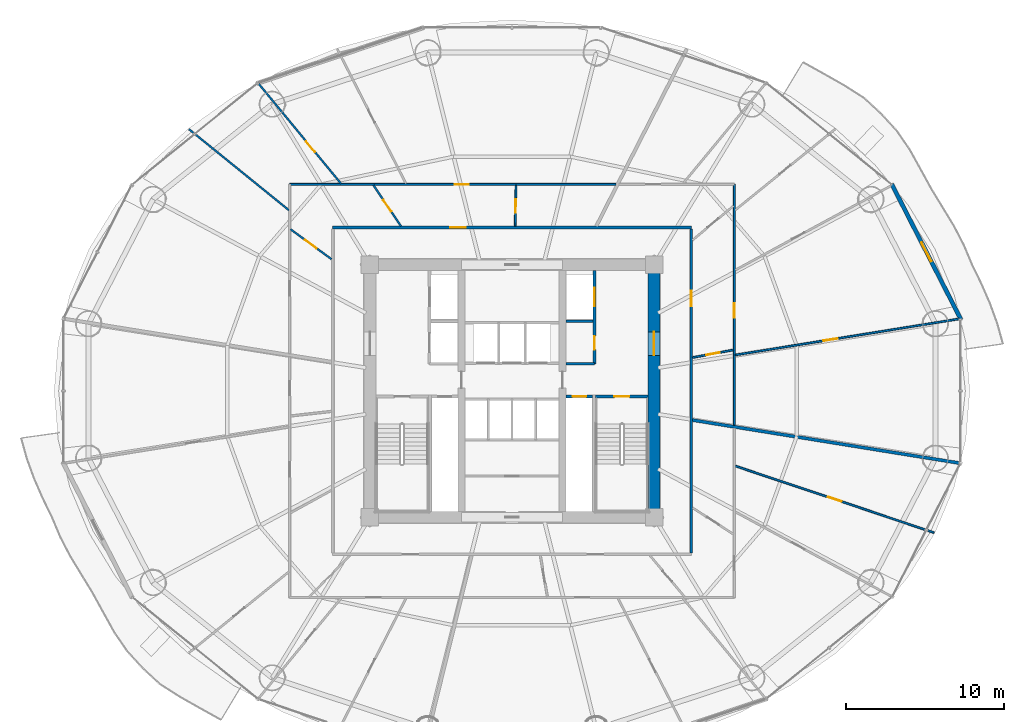
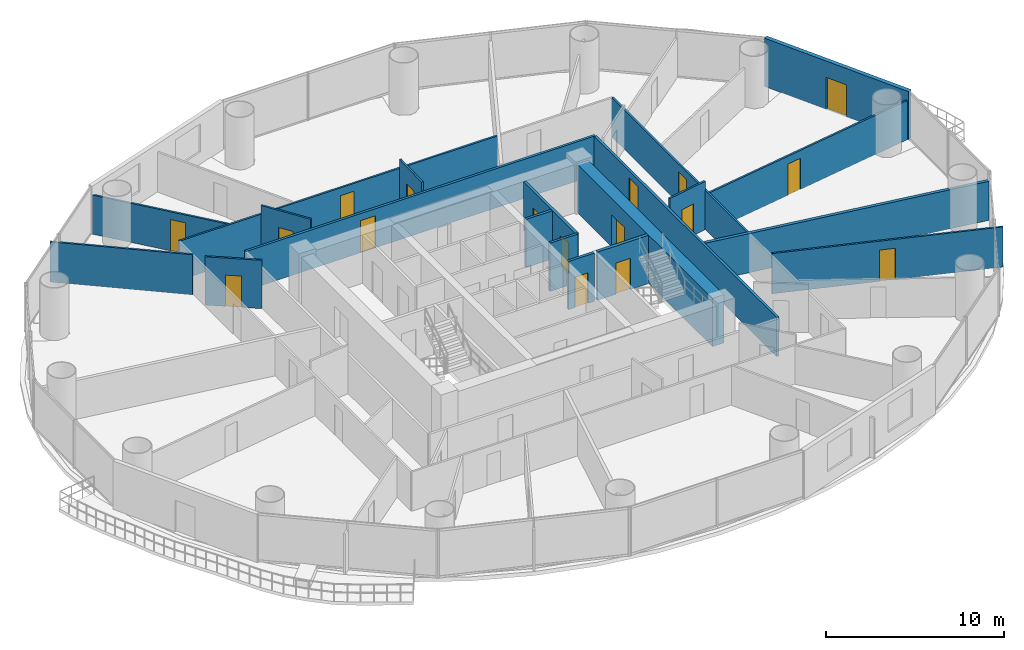
# One storey, part 25 of 30: 20 walls, 17 doors, 17 openings.
"""IFC4 building model written with IfcOpenShell, lengths in metres."""

from ifc_helpers import new_model, si_unit, direction, frame, frame_2d, origin, place, context, subcontext, project, spatial, rectangle, extrude, source, transform, mapped, material, layer, layer_set, type_object, element, fill, save


model = new_model("IFC4")

# Units and contexts
model_context = context("Model", 3, precision=1e-05, world=origin(), true_north=direction((-0.2419218956, 0.970295726276)))
body_context = subcontext(model_context, "Body", "Model", "MODEL_VIEW")
ifc_project = project(units=[si_unit("LENGTHUNIT", "METRE"), si_unit("AREAUNIT", "SQUARE_METRE"), si_unit("VOLUMEUNIT", "CUBIC_METRE"), si_unit("PLANEANGLEUNIT", "RADIAN"), si_unit("MASSUNIT", "GRAM", prefix="KILO")], contexts=[model_context])

# Site, building, storey
site_placement = place(None, origin())
site = spatial("IfcSite", under=ifc_project, at=site_placement, CompositionType="ELEMENT")
building_placement = place(site_placement, origin())
building = spatial("IfcBuilding", under=site, at=building_placement, Name="Cobrevalo Terracotta Tower", CompositionType="ELEMENT")
storey_placement = place(building_placement, frame((0.0, 0.0, 31.199951171875)))
storey = spatial("IfcBuildingStorey", under=building, at=storey_placement, Name="L07", CompositionType="ELEMENT", Elevation=31.199951171875)

# Wall, opening, door
ifc_material_1 = material(Name="Concrete C60", Category="concrete")
ifc_layer_1 = layer(ifc_material_1, 0.75)
ifc_layer_set_1 = layer_set([ifc_layer_1], Name="Concrete C60")
wall_type_1 = type_object("IfcWallType", Name="Core shear wall 750 mm Concrete C60", PredefinedType="SHEAR", material=ifc_layer_set_1)
wall_1_placement = place(storey_placement, frame((47.0, 19.175048828125, 0.0), z_axis=(0.0, 0.0, 1.0), x_axis=(0.0, 1.0, 0.0)))
wall_1 = element("IfcWall", 1, at=wall_1_placement, inside=storey, type_object=wall_type_1, Name="L07 east core shear wall", PredefinedType="SHEAR", context=body_context, shape_type="SweptSolid", body=[
    extrude(rectangle(XDim=15.25, YDim=0.75, at=frame_2d((7.625, 0.0))), origin(), (0.0, 0.0, 1.0), 3.320068359375),
])
opening_1_placement = place(wall_1_placement, frame((9.875, 0.0, 0.0)))
opening_1 = element("IfcOpeningElement", 2, at=opening_1_placement, cuts=wall_1, Name="Opening ID-14", PredefinedType="OPENING", context=body_context, shape_type="SweptSolid", body=[
    extrude(rectangle(XDim=1.5, YDim=2.199951171875, at=frame_2d((0.75, 1.10009765625))), frame((0.0, 0.385009765625, 0.0), z_axis=(0.0, -1.0, 0.0), x_axis=(1.0, 0.0, 0.0)), (0.0, 0.0, 1.0), 0.77001953125),
])
ifc_material_2 = material(Name="Galvanized fire-rated steel", Category="steel")
door_type_1 = type_object("IfcDoorType", Name="Core cross-lobby double fire door 1500x2200 EI 90", OperationType="NOTDEFINED", PredefinedType="DOOR", material=ifc_material_2)
shared_shape_1 = source(origin(), body_context, "Body", "SweptSolid", [
    extrude(rectangle(XDim=1.5, YDim=2.199951171875, at=frame_2d((0.75, 1.10009765625))), frame((0.0, 0.02490234375, 0.0), z_axis=(0.0, -1.0, 0.0), x_axis=(1.0, 0.0, 0.0)), (0.0, 0.0, 1.0), 0.050048828125),
])
door_1_placement = place(opening_1_placement, frame((1.5, 0.0, 0.0), z_axis=(0.0, 0.0, 1.0), x_axis=(-1.0, 0.0, 0.0)))
door_1 = element("IfcDoor", 3, at=door_1_placement, inside=storey, type_object=door_type_1, Name="L07 east firefighting lobby entrance door", OperationType="DOUBLE_DOOR_SINGLE_SWING", OverallHeight=2.199951171875, OverallWidth=1.5, PredefinedType="DOOR", context=body_context, shape_type="MappedRepresentation", body=[
    mapped(shared_shape_1, transform((0.0, 0.0, 0.0), scale=1.0)),
])
fill(opening_1, door_1)

# Walls
ifc_material_3 = material(Name="Gypsum board on steel stud", Category="steel")
ifc_layer_2 = layer(ifc_material_3, 0.159912109375)
ifc_layer_set_2 = layer_set([ifc_layer_2], Name="Gypsum board on steel stud")
wall_type_2 = type_object("IfcWallType", Name="Fire-rated corridor acoustic partition wall 160 mm", PredefinedType="PARTITIONING", material=ifc_layer_set_2)
wall_2_placement = place(storey_placement, frame((41.425048828125, 31.219970703125, 0.0), z_axis=(0.0, 0.0, 1.0), x_axis=(1.0, 0.0, 0.0)))
element("IfcWall", 4, at=wall_2_placement, inside=storey, type_object=wall_type_2, Name="L07 interior partition IW-L07-FF2-M", PredefinedType="PARTITIONING", context=body_context, shape_type="SweptSolid", body=[
    extrude(rectangle(XDim=1.71484375, YDim=0.159912109375, at=frame_2d((0.857421875, 0.0))), origin(), (0.0, 0.0, 1.0), 3.320068359375),
])
wall_3_placement = place(storey_placement, frame((41.425048828125, 28.52001953125, 0.0), z_axis=(0.0, 0.0, 1.0), x_axis=(1.0, 0.0, 0.0)))
element("IfcWall", 5, at=wall_3_placement, inside=storey, type_object=wall_type_2, Name="L07 interior partition IW-L07-FF2-S", PredefinedType="PARTITIONING", context=body_context, shape_type="SweptSolid", body=[
    extrude(rectangle(XDim=1.804931640625, YDim=0.159912109375, at=frame_2d((0.90234375, 0.0))), origin(), (0.0, 0.0, 1.0), 3.320068359375),
])

# Wall, opening, door
wall_4_placement = place(storey_placement, frame((26.64501953125, 37.155029296875, 0.0), z_axis=(0.0, 0.0, 1.0), x_axis=(1.0, 0.0, 0.0)))
wall_4 = element("IfcWall", 6, at=wall_4_placement, inside=storey, type_object=wall_type_2, Name="L07 interior partition IW-L07-COR-N", PredefinedType="PARTITIONING", context=body_context, shape_type="SweptSolid", body=[
    extrude(rectangle(XDim=22.7099609375, YDim=0.159912109375, at=frame_2d((11.35498046875, 0.0))), origin(), (0.0, 0.0, 1.0), 2.68798828125),
])
opening_2_placement = place(wall_4_placement, frame((7.44580078125, 0.0, 0.0)))
opening_2 = element("IfcOpeningElement", 7, at=opening_2_placement, cuts=wall_4, Name="Opening ID-05", PredefinedType="OPENING", context=body_context, shape_type="SweptSolid", body=[
    extrude(rectangle(XDim=0.97998046875, YDim=2.199951171875, at=frame_2d((0.489990234375, 1.10009765625))), frame((0.0, 0.08984375, 0.0), z_axis=(0.0, -1.0, 0.0), x_axis=(1.0, 0.0, 0.0)), (0.0, 0.0, 1.0), 0.179931640625),
])
ifc_material_4 = material(Name="Solid hardwood timber", Category="wood")
door_type_2 = type_object("IfcDoorType", Name="Residence entrance fire-rated acoustic timber door 980x2200 EI 60", OperationType="NOTDEFINED", PredefinedType="DOOR", material=ifc_material_4)
shared_shape_2 = source(origin(), body_context, "Body", "SweptSolid", [
    extrude(rectangle(XDim=0.97998046875, YDim=2.199951171875, at=frame_2d((0.489990234375, 1.10009765625))), frame((0.0, 0.02490234375, 0.0), z_axis=(0.0, -1.0, 0.0), x_axis=(1.0, 0.0, 0.0)), (0.0, 0.0, 1.0), 0.050048828125),
])
door_2_placement = place(opening_2_placement, origin())
door_2 = element("IfcDoor", 8, at=door_2_placement, inside=storey, type_object=door_type_2, Name="Flat L07B fire-rated apartment entrance door", OperationType="SINGLE_SWING_LEFT", OverallHeight=2.199951171875, OverallWidth=0.97998046875, PredefinedType="DOOR", context=body_context, shape_type="MappedRepresentation", body=[
    mapped(shared_shape_2, transform((0.0, 0.0, 0.0), scale=1.0)),
])
fill(opening_2, door_2)

wall_5_placement = place(storey_placement, frame((49.35498046875, 16.52490234375, 0.0), z_axis=(0.0, 0.0, 1.0), x_axis=(0.0, 1.0, 0.0)))
wall_5 = element("IfcWall", 9, at=wall_5_placement, inside=storey, type_object=wall_type_2, Name="L07 interior partition IW-L07-COR-E", PredefinedType="PARTITIONING", context=body_context, shape_type="SweptSolid", body=[
    extrude(rectangle(XDim=20.550048828125, YDim=0.159912109375, at=frame_2d((10.27490234375, 0.0))), origin(), (0.0, 0.0, 1.0), 2.68798828125),
])
opening_3_placement = place(wall_5_placement, frame((15.635009765625, 0.0, 0.0)))
opening_3 = element("IfcOpeningElement", 10, at=opening_3_placement, cuts=wall_5, Name="Opening ID-05", PredefinedType="OPENING", context=body_context, shape_type="SweptSolid", body=[
    extrude(rectangle(XDim=0.97998046875, YDim=2.199951171875, at=frame_2d((0.489990234375, 1.10009765625))), frame((0.0, 0.08984375, 0.0), z_axis=(0.0, -1.0, 0.0), x_axis=(1.0, 0.0, 0.0)), (0.0, 0.0, 1.0), 0.179931640625),
])
door_3_placement = place(opening_3_placement, frame((0.97998046875, 0.0, 0.0), z_axis=(0.0, 0.0, 1.0), x_axis=(-1.0, 0.0, 0.0)))
door_3 = element("IfcDoor", 11, at=door_3_placement, inside=storey, type_object=door_type_2, Name="Flat L07A fire-rated apartment entrance door", OperationType="SINGLE_SWING_LEFT", OverallHeight=2.199951171875, OverallWidth=0.97998046875, PredefinedType="DOOR", context=body_context, shape_type="MappedRepresentation", body=[
    mapped(shared_shape_2, transform((0.0, 0.0, 0.0), scale=1.0)),
])
fill(opening_3, door_3)

ifc_layer_3 = layer(ifc_material_3, 0.179931640625)
ifc_layer_set_3 = layer_set([ifc_layer_3], Name="Gypsum board on steel stud")
wall_type_3 = type_object("IfcWallType", Name="Fire-rated shaft & lobby acoustic partition wall 180 mm", PredefinedType="PARTITIONING", material=ifc_layer_set_3)
wall_6_placement = place(storey_placement, frame((41.425048828125, 26.449951171875, 0.0), z_axis=(0.0, 0.0, 1.0), x_axis=(1.0, 0.0, 0.0)))
wall_6 = element("IfcWall", 12, at=wall_6_placement, inside=storey, type_object=wall_type_3, Name="L07 interior partition IW-L07-RSE-N", PredefinedType="PARTITIONING", context=body_context, shape_type="SweptSolid", body=[
    extrude(rectangle(XDim=1.675048828125, YDim=0.179931640625, at=frame_2d((0.83740234375, 0.0))), origin(), (0.0, 0.0, 1.0), 3.320068359375),
])
opening_4_placement = place(wall_6_placement, frame((0.41259765625, 0.0, 0.0)))
opening_4 = element("IfcOpeningElement", 13, at=opening_4_placement, cuts=wall_6, Name="Opening ID-22", PredefinedType="OPENING", context=body_context, shape_type="SweptSolid", body=[
    extrude(rectangle(XDim=0.85009765625, YDim=2.10009765625, at=frame_2d((0.425048828125, 1.050048828125))), frame((0.0, 0.10009765625, 0.0), z_axis=(0.0, -1.0, 0.0), x_axis=(1.0, 0.0, 0.0)), (0.0, 0.0, 1.0), 0.199951171875),
])
ifc_material_5 = material(Name="Powder-coated steel", Category="steel")
door_type_3 = type_object("IfcDoorType", Name="Riser shaft & meter closet fire access door 850x2100 EI 60", OperationType="NOTDEFINED", PredefinedType="DOOR", material=ifc_material_5)
shared_shape_3 = source(origin(), body_context, "Body", "SweptSolid", [
    extrude(rectangle(XDim=0.85009765625, YDim=2.10009765625, at=frame_2d((0.425048828125, 1.050048828125))), frame((0.0, 0.02490234375, 0.0), z_axis=(0.0, -1.0, 0.0), x_axis=(1.0, 0.0, 0.0)), (0.0, 0.0, 1.0), 0.050048828125),
])
door_4_placement = place(opening_4_placement, origin())
door_4 = element("IfcDoor", 14, at=door_4_placement, inside=storey, type_object=door_type_3, Name="L07 riser access door RSE", OperationType="SINGLE_SWING_RIGHT", OverallHeight=2.10009765625, OverallWidth=0.85009765625, PredefinedType="DOOR", context=body_context, shape_type="MappedRepresentation", body=[
    mapped(shared_shape_3, transform((0.0, 0.0, 0.0), scale=1.0)),
])
fill(opening_4, door_4)

# Wall, openings, doors
wall_7_placement = place(storey_placement, frame((43.22998046875, 28.52001953125, 0.0), z_axis=(0.0, 0.0, 1.0), x_axis=(0.0, 1.0, 0.0)))
wall_7 = element("IfcWall", 15, at=wall_7_placement, inside=storey, type_object=wall_type_3, Name="L07 interior partition IW-L07-FF2-E", PredefinedType="PARTITIONING", context=body_context, shape_type="SweptSolid", body=[
    extrude(rectangle(XDim=5.905029296875, YDim=0.179931640625, at=frame_2d((2.95263671875, 0.0))), origin(), (0.0, 0.0, 1.0), 3.320068359375),
])
opening_5_placement = place(wall_7_placement, frame((0.905029296875, 0.0, 0.0)))
opening_5 = element("IfcOpeningElement", 16, at=opening_5_placement, cuts=wall_7, Name="Opening ID-22", PredefinedType="OPENING", context=body_context, shape_type="SweptSolid", body=[
    extrude(rectangle(XDim=0.85009765625, YDim=2.10009765625, at=frame_2d((0.425048828125, 1.050048828125))), frame((0.0, 0.10009765625, 0.0), z_axis=(0.0, -1.0, 0.0), x_axis=(1.0, 0.0, 0.0)), (0.0, 0.0, 1.0), 0.199951171875),
])
opening_6_placement = place(wall_7_placement, frame((3.655029296875, 0.0, 0.0)))
opening_6 = element("IfcOpeningElement", 17, at=opening_6_placement, cuts=wall_7, Name="Opening LD-02", PredefinedType="OPENING", context=body_context, shape_type="SweptSolid", body=[
    extrude(rectangle(XDim=1.14990234375, YDim=2.199951171875, at=frame_2d((0.574951171875, 1.10009765625))), frame((0.0, 0.10009765625, 0.0), z_axis=(0.0, -1.0, 0.0), x_axis=(1.0, 0.0, 0.0)), (0.0, 0.0, 1.0), 0.199951171875),
])
door_5_placement = place(opening_5_placement, frame((0.85009765625, 0.0, 0.0), z_axis=(0.0, 0.0, 1.0), x_axis=(-1.0, 0.0, 0.0)))
door_5 = element("IfcDoor", 18, at=door_5_placement, inside=storey, type_object=door_type_3, Name="L07 housekeeping store door", OperationType="SINGLE_SWING_RIGHT", OverallHeight=2.10009765625, OverallWidth=0.85009765625, PredefinedType="DOOR", context=body_context, shape_type="MappedRepresentation", body=[
    mapped(shared_shape_3, transform((0.0, 0.0, 0.0), scale=1.0)),
])
fill(opening_5, door_5)
ifc_material_6 = material(Name="Brushed stainless steel", Category="steel")
door_type_4 = type_object("IfcDoorType", Name="Firefighting lift landing bi-parting sliding door 1150x2200 EI 120", OperationType="DOUBLE_DOOR_SLIDING", PredefinedType="DOOR", material=ifc_material_6)
shared_shape_4 = source(origin(), body_context, "Body", "SweptSolid", [
    extrude(rectangle(XDim=1.14990234375, YDim=2.199951171875, at=frame_2d((0.574951171875, 1.10009765625))), frame((0.0, 0.02490234375, 0.0), z_axis=(0.0, -1.0, 0.0), x_axis=(1.0, 0.0, 0.0)), (0.0, 0.0, 1.0), 0.050048828125),
])
door_6_placement = place(opening_6_placement, origin())
door_6 = element("IfcDoor", 19, at=door_6_placement, inside=storey, type_object=door_type_4, Name="L07 lift landing door FF-2", OperationType="DOUBLE_DOOR_SLIDING", OverallHeight=2.199951171875, OverallWidth=1.14990234375, PredefinedType="DOOR", context=body_context, shape_type="MappedRepresentation", body=[
    mapped(shared_shape_4, transform((0.0, 0.0, 0.0), scale=1.0)),
])
fill(opening_6, door_6)

# Wall
ifc_material_7 = material(Name="Autoclaved aerated concrete block", Category="concrete")
ifc_layer_4 = layer(ifc_material_7, 0.199951171875)
ifc_layer_set_4 = layer_set([ifc_layer_4], Name="Autoclaved aerated concrete block")
wall_type_4 = type_object("IfcWallType", Name="Fire-rated stair, shaft & demising masonry wall 200 mm", PredefinedType="PARTITIONING", material=ifc_layer_set_4)
wall_8_placement = place(storey_placement, frame((49.43505859375, 24.956787109375, 0.0), z_axis=(0.0, 0.0, 1.0), x_axis=(0.987258195973, -0.159126536076, 0.0)))
element("IfcWall", 20, at=wall_8_placement, inside=storey, type_object=wall_type_4, Name="L07 interior partition IW-L07-DEM-1", PredefinedType="PARTITIONING", context=body_context, shape_type="SweptSolid", body=[
    extrude(rectangle(XDim=17.10546875, YDim=0.199951171875, at=frame_2d((8.552734375, 0.0))), origin(), (0.0, 0.0, 1.0), 2.68798828125),
])

# Wall, opening, door
ifc_layer_5 = layer(ifc_material_7, 0.260009765625)
ifc_layer_set_5 = layer_set([ifc_layer_5], Name="Autoclaved aerated concrete block")
wall_type_5 = type_object("IfcWallType", Name="Recessed balcony loggia insulated exterior wall 260 mm", PredefinedType="SOLIDWALL", material=ifc_layer_set_5)
wall_9_placement = place(storey_placement, frame((66.44970703125, 31.3076171875, 0.0), z_axis=(0.0, 0.0, 1.0), x_axis=(-0.45523081716, 0.890373462715, 0.0)))
wall_9 = element("IfcWall", 21, at=wall_9_placement, inside=storey, type_object=wall_type_5, Name="L07 balcony loggia wall S01", PredefinedType="SOLIDWALL", context=body_context, shape_type="SweptSolid", body=[
    extrude(rectangle(XDim=9.662109375, YDim=0.260009765625, at=frame_2d((4.8310546875, 0.0))), origin(), (0.0, 0.0, 1.0), 3.320068359375),
])
opening_7_placement = place(wall_9_placement, frame((4.156005859375, 0.0, 0.0)))
opening_7 = element("IfcOpeningElement", 22, at=opening_7_placement, cuts=wall_9, Name="Opening ED-05", PredefinedType="OPENING", context=body_context, shape_type="SweptSolid", body=[
    extrude(rectangle(XDim=1.35009765625, YDim=2.199951171875, at=frame_2d((0.675048828125, 1.10009765625))), frame((0.0, 0.14013671875, 0.0), z_axis=(0.0, -1.0, 0.0), x_axis=(1.0, 0.0, 0.0)), (0.0, 0.0, 1.0), 0.280029296875),
])
ifc_material_8 = material(Name="Anodized aluminium and laminated glass", Category="aluminium")
door_type_5 = type_object("IfcDoorType", Name="Suite balcony acoustic glazed terrace door 1350x2200", OperationType="NOTDEFINED", PredefinedType="DOOR", material=ifc_material_8)
shared_shape_5 = source(origin(), body_context, "Body", "SweptSolid", [
    extrude(rectangle(XDim=1.35009765625, YDim=2.199951171875, at=frame_2d((0.675048828125, 1.10009765625))), frame((0.0, 0.02490234375, 0.0), z_axis=(0.0, -1.0, 0.0), x_axis=(1.0, 0.0, 0.0)), (0.0, 0.0, 1.0), 0.050048828125),
])
door_7_placement = place(opening_7_placement, frame((1.35009765625, 0.0, 0.0), z_axis=(0.0, 0.0, 1.0), x_axis=(-1.0, 0.0, 0.0)))
door_7 = element("IfcDoor", 23, at=door_7_placement, inside=storey, type_object=door_type_5, Name="L07 glazed balcony terrace door 1", OperationType="SINGLE_SWING_LEFT", OverallHeight=2.199951171875, OverallWidth=1.35009765625, PredefinedType="DOOR", context=body_context, shape_type="MappedRepresentation", body=[
    mapped(shared_shape_5, transform((0.0, 0.0, 0.0), scale=1.0)),
])
fill(opening_7, door_7)

ifc_layer_6 = layer(ifc_material_3, 0.1201171875)
ifc_layer_set_6 = layer_set([ifc_layer_6], Name="Gypsum board on steel stud")
wall_type_6 = type_object("IfcWallType", Name="Residential internal acoustic stud partition 120 mm", PredefinedType="PARTITIONING", material=ifc_layer_set_6)
wall_10_placement = place(storey_placement, frame((52.0849609375, 39.885009765625, 0.0), z_axis=(0.0, 0.0, 1.0), x_axis=(0.0, -1.0, 0.0)))
wall_10 = element("IfcWall", 24, at=wall_10_placement, inside=storey, type_object=wall_type_6, Name="L07 interior partition IW-L07-U1-RING1_0", PredefinedType="PARTITIONING", context=body_context, shape_type="SweptSolid", body=[
    extrude(rectangle(XDim=15.25341796875, YDim=0.1201171875, at=frame_2d((7.626708984375, 0.0))), origin(), (0.0, 0.0, 1.0), 2.68798828125),
])
opening_8_placement = place(wall_10_placement, frame((7.543212890625, 0.0, 0.0)))
opening_8 = element("IfcOpeningElement", 25, at=opening_8_placement, cuts=wall_10, Name="Opening ID-12", PredefinedType="OPENING", context=body_context, shape_type="SweptSolid", body=[
    extrude(rectangle(XDim=0.89990234375, YDim=2.14990234375, at=frame_2d((0.449951171875, 1.074951171875))), frame((0.0, 0.070068359375, 0.0), z_axis=(0.0, -1.0, 0.0), x_axis=(1.0, 0.0, 0.0)), (0.0, 0.0, 1.0), 0.14013671875),
])
ifc_material_9 = material(Name="Engineered timber", Category="wood")
door_type_6 = type_object("IfcDoorType", Name="Internal residence & suite timber door 900x2150", OperationType="NOTDEFINED", PredefinedType="DOOR", material=ifc_material_9)
shared_shape_6 = source(origin(), body_context, "Body", "SweptSolid", [
    extrude(rectangle(XDim=0.89990234375, YDim=2.14990234375, at=frame_2d((0.449951171875, 1.074951171875))), frame((0.0, 0.02490234375, 0.0), z_axis=(0.0, -1.0, 0.0), x_axis=(1.0, 0.0, 0.0)), (0.0, 0.0, 1.0), 0.050048828125),
])
door_8_placement = place(opening_8_placement, origin())
door_8 = element("IfcDoor", 26, at=door_8_placement, inside=storey, type_object=door_type_6, Name="Flat L07A Penthouse Family Lounge internal door", OperationType="SINGLE_SWING_RIGHT", OverallHeight=2.14990234375, OverallWidth=0.89990234375, PredefinedType="DOOR", context=body_context, shape_type="MappedRepresentation", body=[
    mapped(shared_shape_6, transform((0.0, 0.0, 0.0), scale=1.0)),
])
fill(opening_8, door_8)

wall_11_placement = place(storey_placement, frame((52.146240234375, 29.080078125, 0.0), z_axis=(0.0, 0.0, 1.0), x_axis=(0.987255773689, 0.159141563768, 0.0)))
wall_11 = element("IfcWall", 27, at=wall_11_placement, inside=storey, type_object=wall_type_6, Name="L07 interior partition IW-L07-U1-ORAD1", PredefinedType="PARTITIONING", context=body_context, shape_type="SweptSolid", body=[
    extrude(rectangle(XDim=14.359375, YDim=0.1201171875, at=frame_2d((7.1796875, 0.0))), origin(), (0.0, 0.0, 1.0), 2.68798828125),
])
opening_9_placement = place(wall_11_placement, frame((5.658935546875, 0.0, 0.0)))
opening_9 = element("IfcOpeningElement", 28, at=opening_9_placement, cuts=wall_11, Name="Opening ID-12", PredefinedType="OPENING", context=body_context, shape_type="SweptSolid", body=[
    extrude(rectangle(XDim=0.89990234375, YDim=2.14990234375, at=frame_2d((0.449951171875, 1.074951171875))), frame((0.0, 0.070068359375, 0.0), z_axis=(0.0, -1.0, 0.0), x_axis=(1.0, 0.0, 0.0)), (0.0, 0.0, 1.0), 0.14013671875),
])
door_9_placement = place(opening_9_placement, frame((0.89990234375, 0.0, 0.0), z_axis=(0.0, 0.0, 1.0), x_axis=(-1.0, 0.0, 0.0)))
door_9 = element("IfcDoor", 29, at=door_9_placement, inside=storey, type_object=door_type_6, Name="Flat L07A Penthouse Living and Dining Room internal door", OperationType="SINGLE_SWING_RIGHT", OverallHeight=2.14990234375, OverallWidth=0.89990234375, PredefinedType="DOOR", context=body_context, shape_type="MappedRepresentation", body=[
    mapped(shared_shape_6, transform((0.0, 0.0, 0.0), scale=1.0)),
])
fill(opening_9, door_9)

wall_12_placement = place(storey_placement, frame((49.43505859375, 28.91796875, 0.0), z_axis=(0.0, 0.0, 1.0), x_axis=(0.983277085422, 0.182115823818, 0.0)))
wall_12 = element("IfcWall", 30, at=wall_12_placement, inside=storey, type_object=wall_type_6, Name="L07 interior partition IW-L07-U1-IRAD1", PredefinedType="PARTITIONING", context=body_context, shape_type="SweptSolid", body=[
    extrude(rectangle(XDim=2.6328125, YDim=0.1201171875, at=frame_2d((1.31640625, 0.0))), origin(), (0.0, 0.0, 1.0), 3.320068359375),
])
opening_10_placement = place(wall_12_placement, frame((0.886474609375, 0.0, 0.0)))
opening_10 = element("IfcOpeningElement", 31, at=opening_10_placement, cuts=wall_12, Name="Opening ID-19", PredefinedType="OPENING", context=body_context, shape_type="SweptSolid", body=[
    extrude(rectangle(XDim=0.860107421875, YDim=2.14990234375, at=frame_2d((0.43017578125, 1.074951171875))), frame((0.0, 0.070068359375, 0.0), z_axis=(0.0, -1.0, 0.0), x_axis=(1.0, 0.0, 0.0)), (0.0, 0.0, 1.0), 0.14013671875),
])
ifc_material_10 = material(Name="Moisture-sealed timber", Category="wood")
door_type_7 = type_object("IfcDoorType", Name="Suite bathroom internal timber door 860x2150", OperationType="NOTDEFINED", PredefinedType="DOOR", material=ifc_material_10)
shared_shape_7 = source(origin(), body_context, "Body", "SweptSolid", [
    extrude(rectangle(XDim=0.860107421875, YDim=2.14990234375, at=frame_2d((0.43017578125, 1.074951171875))), frame((0.0, 0.02490234375, 0.0), z_axis=(0.0, -1.0, 0.0), x_axis=(1.0, 0.0, 0.0)), (0.0, 0.0, 1.0), 0.050048828125),
])
door_10_placement = place(opening_10_placement, frame((0.860107421875, 0.0, 0.0), z_axis=(0.0, 0.0, 1.0), x_axis=(-1.0, 0.0, 0.0)))
door_10 = element("IfcDoor", 32, at=door_10_placement, inside=storey, type_object=door_type_7, Name="Flat L07A Primary Bathroom internal door", OperationType="SINGLE_SWING_RIGHT", OverallHeight=2.14990234375, OverallWidth=0.860107421875, PredefinedType="DOOR", context=body_context, shape_type="MappedRepresentation", body=[
    mapped(shared_shape_7, transform((0.0, 0.0, 0.0), scale=1.0)),
])
fill(opening_10, door_10)

wall_13_placement = place(storey_placement, frame((23.9150390625, 39.885009765625, 0.0), z_axis=(0.0, 0.0, 1.0), x_axis=(1.0, 0.0, 0.0)))
wall_13 = element("IfcWall", 33, at=wall_13_placement, inside=storey, type_object=wall_type_6, Name="L07 interior partition IW-L07-U2-RING1_0", PredefinedType="PARTITIONING", context=body_context, shape_type="SweptSolid", body=[
    extrude(rectangle(XDim=20.67138671875, YDim=0.1201171875, at=frame_2d((10.335693359375, 0.0))), origin(), (0.0, 0.0, 1.0), 2.68798828125),
])
opening_11_placement = place(wall_13_placement, frame((10.444091796875, 0.0, 0.0)))
opening_11 = element("IfcOpeningElement", 34, at=opening_11_placement, cuts=wall_13, Name="Opening ID-12", PredefinedType="OPENING", context=body_context, shape_type="SweptSolid", body=[
    extrude(rectangle(XDim=0.89990234375, YDim=2.14990234375, at=frame_2d((0.449951171875, 1.074951171875))), frame((0.0, 0.070068359375, 0.0), z_axis=(0.0, -1.0, 0.0), x_axis=(1.0, 0.0, 0.0)), (0.0, 0.0, 1.0), 0.14013671875),
])
door_11_placement = place(opening_11_placement, origin())
door_11 = element("IfcDoor", 35, at=door_11_placement, inside=storey, type_object=door_type_6, Name="Flat L07B Penthouse Living and Dining Room internal door", OperationType="SINGLE_SWING_LEFT", OverallHeight=2.14990234375, OverallWidth=0.89990234375, PredefinedType="DOOR", context=body_context, shape_type="MappedRepresentation", body=[
    mapped(shared_shape_6, transform((0.0, 0.0, 0.0), scale=1.0)),
])
fill(opening_11, door_11)

wall_14_placement = place(storey_placement, frame((27.171142578125, 39.932861328125, 0.0), z_axis=(0.0, 0.0, 1.0), x_axis=(-0.636192172227, 0.771530634516, 0.0)))
wall_14 = element("IfcWall", 36, at=wall_14_placement, inside=storey, type_object=wall_type_6, Name="L07 interior partition IW-L07-U2-ORAD2M1", PredefinedType="PARTITIONING", context=body_context, shape_type="SweptSolid", body=[
    extrude(rectangle(XDim=8.186279296875, YDim=0.1201171875, at=frame_2d((4.09326171875, 0.0))), origin(), (0.0, 0.0, 1.0), 2.68798828125),
])
opening_12_placement = place(wall_14_placement, frame((2.579345703125, 0.0, 0.0)))
opening_12 = element("IfcOpeningElement", 37, at=opening_12_placement, cuts=wall_14, Name="Opening ID-12", PredefinedType="OPENING", context=body_context, shape_type="SweptSolid", body=[
    extrude(rectangle(XDim=0.89990234375, YDim=2.14990234375, at=frame_2d((0.449951171875, 1.074951171875))), frame((0.0, 0.070068359375, 0.0), z_axis=(0.0, -1.0, 0.0), x_axis=(1.0, 0.0, 0.0)), (0.0, 0.0, 1.0), 0.14013671875),
])
door_12_placement = place(opening_12_placement, origin())
door_12 = element("IfcDoor", 38, at=door_12_placement, inside=storey, type_object=door_type_6, Name="Flat L07B Principal Guest Bedroom internal door", OperationType="SINGLE_SWING_LEFT", OverallHeight=2.14990234375, OverallWidth=0.89990234375, PredefinedType="DOOR", context=body_context, shape_type="MappedRepresentation", body=[
    mapped(shared_shape_6, transform((0.0, 0.0, 0.0), scale=1.0)),
])
fill(opening_12, door_12)

# Wall
wall_15_placement = place(storey_placement, frame((23.866943359375, 38.252685546875, 0.0), z_axis=(0.0, 0.0, 1.0), x_axis=(-0.776936623447, 0.629578814087, 0.0)))
element("IfcWall", 39, at=wall_15_placement, inside=storey, type_object=wall_type_6, Name="L07 interior partition IW-L07-U2-ORAD2", PredefinedType="PARTITIONING", context=body_context, shape_type="SweptSolid", body=[
    extrude(rectangle(XDim=8.136474609375, YDim=0.1201171875, at=frame_2d((4.068359375, 0.0))), origin(), (0.0, 0.0, 1.0), 2.761962890625),
])

# Wall, opening, door
wall_16_placement = place(storey_placement, frame((38.20458984375, 37.237060546875, 0.0), z_axis=(0.0, 0.0, 1.0), x_axis=(0.019633676934, 0.999807240787, 0.0)))
wall_16 = element("IfcWall", 40, at=wall_16_placement, inside=storey, type_object=wall_type_6, Name="L07 interior partition IW-L07-U2-IRAD1", PredefinedType="PARTITIONING", context=body_context, shape_type="SweptSolid", body=[
    extrude(rectangle(XDim=2.58642578125, YDim=0.1201171875, at=frame_2d((1.293212890625, 0.0))), origin(), (0.0, 0.0, 1.0), 3.320068359375),
])
opening_13_placement = place(wall_16_placement, frame((0.86328125, 0.0, 0.0)))
opening_13 = element("IfcOpeningElement", 41, at=opening_13_placement, cuts=wall_16, Name="Opening ID-19", PredefinedType="OPENING", context=body_context, shape_type="SweptSolid", body=[
    extrude(rectangle(XDim=0.860107421875, YDim=2.14990234375, at=frame_2d((0.43017578125, 1.074951171875))), frame((0.0, 0.070068359375, 0.0), z_axis=(0.0, -1.0, 0.0), x_axis=(1.0, 0.0, 0.0)), (0.0, 0.0, 1.0), 0.14013671875),
])
door_13_placement = place(opening_13_placement, frame((0.860107421875, 0.0, 0.0), z_axis=(0.0, 0.0, 1.0), x_axis=(-1.0, 0.0, 0.0)))
door_13 = element("IfcDoor", 42, at=door_13_placement, inside=storey, type_object=door_type_7, Name="Flat L07B Primary Bathroom internal door", OperationType="SINGLE_SWING_RIGHT", OverallHeight=2.14990234375, OverallWidth=0.860107421875, PredefinedType="DOOR", context=body_context, shape_type="MappedRepresentation", body=[
    mapped(shared_shape_7, transform((0.0, 0.0, 0.0), scale=1.0)),
])
fill(opening_13, door_13)

wall_17_placement = place(storey_placement, frame((30.9716796875, 37.236572265625, 0.0), z_axis=(0.0, 0.0, 1.0), x_axis=(-0.558563154585, 0.829461995717, 0.0)))
wall_17 = element("IfcWall", 43, at=wall_17_placement, inside=storey, type_object=wall_type_6, Name="L07 interior partition IW-L07-U2-IRAD2", PredefinedType="PARTITIONING", context=body_context, shape_type="SweptSolid", body=[
    extrude(rectangle(XDim=3.130859375, YDim=0.1201171875, at=frame_2d((1.5654296875, 0.0))), origin(), (0.0, 0.0, 1.0), 3.320068359375),
])
opening_14_placement = place(wall_17_placement, frame((1.115478515625, 0.0, 0.0)))
opening_14 = element("IfcOpeningElement", 44, at=opening_14_placement, cuts=wall_17, Name="Opening ID-12", PredefinedType="OPENING", context=body_context, shape_type="SweptSolid", body=[
    extrude(rectangle(XDim=0.89990234375, YDim=2.14990234375, at=frame_2d((0.449951171875, 1.074951171875))), frame((0.0, 0.070068359375, 0.0), z_axis=(0.0, -1.0, 0.0), x_axis=(1.0, 0.0, 0.0)), (0.0, 0.0, 1.0), 0.14013671875),
])
door_14_placement = place(opening_14_placement, origin())
door_14 = element("IfcDoor", 45, at=door_14_placement, inside=storey, type_object=door_type_6, Name="Flat L07B Kitchen internal door", OperationType="SINGLE_SWING_RIGHT", OverallHeight=2.14990234375, OverallWidth=0.89990234375, PredefinedType="DOOR", context=body_context, shape_type="MappedRepresentation", body=[
    mapped(shared_shape_6, transform((0.0, 0.0, 0.0), scale=1.0)),
])
fill(opening_14, door_14)

wall_18_placement = place(storey_placement, frame((26.56494140625, 35.14990234375, 0.0), z_axis=(0.0, 0.0, 1.0), x_axis=(-0.807606444557, 0.589721824855, 0.0)))
wall_18 = element("IfcWall", 46, at=wall_18_placement, inside=storey, type_object=wall_type_6, Name="L07 interior partition IW-L07-U2-IRAD3", PredefinedType="PARTITIONING", context=body_context, shape_type="SweptSolid", body=[
    extrude(rectangle(XDim=3.21923828125, YDim=0.1201171875, at=frame_2d((1.609619140625, 0.0))), origin(), (0.0, 0.0, 1.0), 3.320068359375),
])
opening_15_placement = place(wall_18_placement, frame((1.15966796875, 0.0, 0.0)))
opening_15 = element("IfcOpeningElement", 47, at=opening_15_placement, cuts=wall_18, Name="Opening ID-12", PredefinedType="OPENING", context=body_context, shape_type="SweptSolid", body=[
    extrude(rectangle(XDim=0.89990234375, YDim=2.14990234375, at=frame_2d((0.449951171875, 1.074951171875))), frame((0.0, 0.070068359375, 0.0), z_axis=(0.0, -1.0, 0.0), x_axis=(1.0, 0.0, 0.0)), (0.0, 0.0, 1.0), 0.14013671875),
])
door_15_placement = place(opening_15_placement, origin())
door_15 = element("IfcDoor", 48, at=door_15_placement, inside=storey, type_object=door_type_6, Name="Flat L07B Home Office Study internal door", OperationType="SINGLE_SWING_LEFT", OverallHeight=2.14990234375, OverallWidth=0.89990234375, PredefinedType="DOOR", context=body_context, shape_type="MappedRepresentation", body=[
    mapped(shared_shape_6, transform((0.0, 0.0, 0.0), scale=1.0)),
])
fill(opening_15, door_15)

wall_19_placement = place(storey_placement, frame((52.143798828125, 22.052490234375, 0.0), z_axis=(0.0, 0.0, 1.0), x_axis=(0.948023034133, -0.318201707653, 0.0)))
wall_19 = element("IfcWall", 49, at=wall_19_placement, inside=storey, type_object=wall_type_6, Name="L07 interior partition IW-L07-U4-ORAD3M1", PredefinedType="PARTITIONING", context=body_context, shape_type="SweptSolid", body=[
    extrude(rectangle(XDim=13.27880859375, YDim=0.1201171875, at=frame_2d((6.639404296875, 0.0))), origin(), (0.0, 0.0, 1.0), 2.761962890625),
])
opening_16_placement = place(wall_19_placement, frame((6.189453125, 0.0, 0.0)))
opening_16 = element("IfcOpeningElement", 50, at=opening_16_placement, cuts=wall_19, Name="Opening ID-12", PredefinedType="OPENING", context=body_context, shape_type="SweptSolid", body=[
    extrude(rectangle(XDim=0.89990234375, YDim=2.14990234375, at=frame_2d((0.449951171875, 1.074951171875))), frame((0.0, 0.070068359375, 0.0), z_axis=(0.0, -1.0, 0.0), x_axis=(1.0, 0.0, 0.0)), (0.0, 0.0, 1.0), 0.14013671875),
])
door_16_placement = place(opening_16_placement, origin())
door_16 = element("IfcDoor", 51, at=door_16_placement, inside=storey, type_object=door_type_6, Name="Flat L07D Penthouse Family Lounge internal door", OperationType="SINGLE_SWING_RIGHT", OverallHeight=2.14990234375, OverallWidth=0.89990234375, PredefinedType="DOOR", context=body_context, shape_type="MappedRepresentation", body=[
    mapped(shared_shape_6, transform((0.0, 0.0, 0.0), scale=1.0)),
])
fill(opening_16, door_16)

ifc_material_11 = material(Name="Concrete C50", Category="concrete")
ifc_layer_7 = layer(ifc_material_11, 0.199951171875)
ifc_layer_set_7 = layer_set([ifc_layer_7], Name="Concrete C50")
wall_type_7 = type_object("IfcWallType", Name="Structural core & podium stair-shaft RC wall 200 mm Concrete C50", PredefinedType="SOLIDWALL", material=ifc_layer_set_7)
wall_20_placement = place(storey_placement, frame((43.304931640625, 26.449951171875, 0.0), z_axis=(0.0, 0.0, 1.0), x_axis=(1.0, 0.0, 0.0)))
wall_20 = element("IfcWall", 52, at=wall_20_placement, inside=storey, type_object=wall_type_7, Name="L07 ST-2 north structural shaft wall", PredefinedType="SOLIDWALL", context=body_context, shape_type="SweptSolid", body=[
    extrude(rectangle(XDim=3.320068359375, YDim=0.199951171875, at=frame_2d((1.66015625, 0.0))), origin(), (0.0, 0.0, 1.0), 3.320068359375),
])
opening_17_placement = place(wall_20_placement, frame((1.18505859375, 0.0, 0.0)))
opening_17 = element("IfcOpeningElement", 53, at=opening_17_placement, cuts=wall_20, Name="Opening ID-04", PredefinedType="OPENING", context=body_context, shape_type="SweptSolid", body=[
    extrude(rectangle(XDim=0.949951171875, YDim=2.14990234375, at=frame_2d((0.47509765625, 1.074951171875))), frame((0.0, 0.10986328125, 0.0), z_axis=(0.0, -1.0, 0.0), x_axis=(1.0, 0.0, 0.0)), (0.0, 0.0, 1.0), 0.219970703125),
])
door_type_8 = type_object("IfcDoorType", Name="Stair & firefighting lobby fire door 950x2150 EI 90", OperationType="NOTDEFINED", PredefinedType="DOOR", material=ifc_material_2)
shared_shape_8 = source(origin(), body_context, "Body", "SweptSolid", [
    extrude(rectangle(XDim=0.949951171875, YDim=2.14990234375, at=frame_2d((0.47509765625, 1.074951171875))), frame((0.0, 0.02490234375, 0.0), z_axis=(0.0, -1.0, 0.0), x_axis=(1.0, 0.0, 0.0)), (0.0, 0.0, 1.0), 0.050048828125),
])
door_17_placement = place(opening_17_placement, frame((0.949951171875, 0.0, 0.0), z_axis=(0.0, 0.0, 1.0), x_axis=(-1.0, 0.0, 0.0)))
door_17 = element("IfcDoor", 54, at=door_17_placement, inside=storey, type_object=door_type_8, Name="L07 protected stair ST2 fire door", OperationType="SINGLE_SWING_RIGHT", OverallHeight=2.14990234375, OverallWidth=0.949951171875, PredefinedType="DOOR", context=body_context, shape_type="MappedRepresentation", body=[
    mapped(shared_shape_8, transform((0.0, 0.0, 0.0), scale=1.0)),
])
fill(opening_17, door_17)

save(model, "model.ifc")
